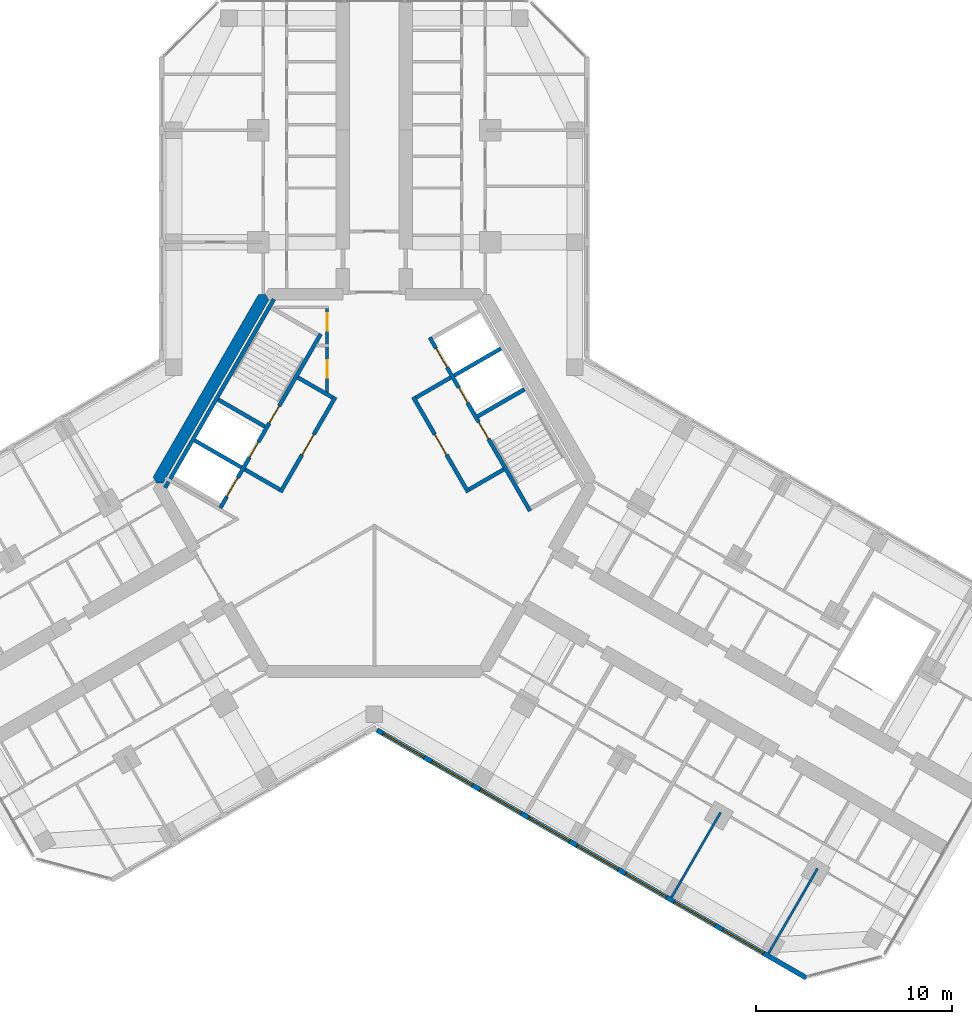
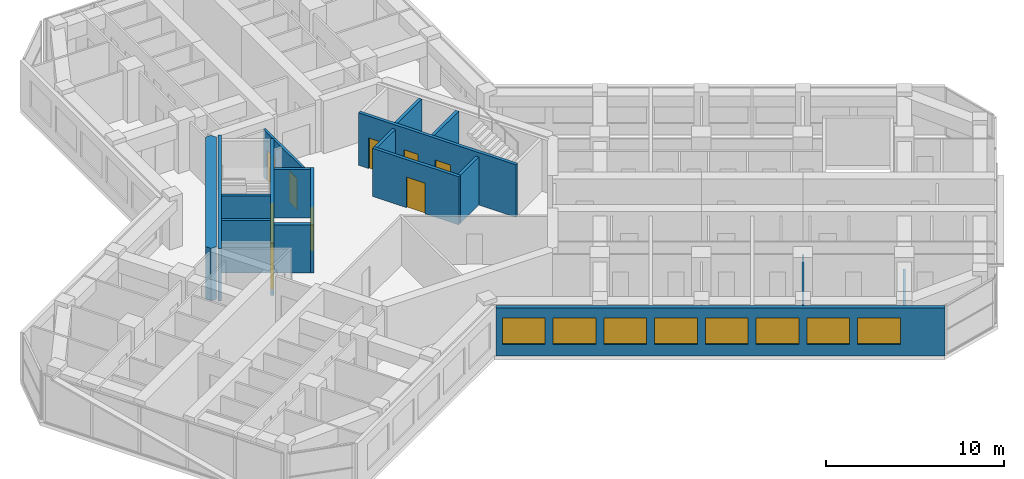
# One storey, part 10 of 16: 18 walls, 10 doors, 8 windows, 18 openings.
"""IFC4 building model written with IfcOpenShell, lengths in metres."""

from ifc_helpers import new_model, si_unit, direction, frame, frame_2d, origin, place, context, subcontext, project, spatial, polyline, rectangle, outline, extrude, material, layer, layer_set, type_object, element, fill, save


model = new_model("IFC4")

# Units and contexts
model_context = context("Model", 3, precision=1e-05, world=origin(), true_north=direction((0.0, 1.0)))
body_context = subcontext(model_context, "Body", "Model", "MODEL_VIEW")
ifc_project = project(units=[si_unit("LENGTHUNIT", "METRE"), si_unit("AREAUNIT", "SQUARE_METRE"), si_unit("VOLUMEUNIT", "CUBIC_METRE"), si_unit("PLANEANGLEUNIT", "RADIAN"), si_unit("MASSUNIT", "GRAM", prefix="KILO")], contexts=[model_context])

# Site, building, storey
site_placement = place(None, origin())
site = spatial("IfcSite", under=ifc_project, at=site_placement, CompositionType="ELEMENT")
building_placement = place(site_placement, origin())
building = spatial("IfcBuilding", under=site, at=building_placement, Name="Kosmar Iwan School Tower", CompositionType="ELEMENT")
storey_placement = place(building_placement, frame((0.0, 0.0, 256.800048828125)))
storey = spatial("IfcBuildingStorey", under=building, at=storey_placement, Name="L65", CompositionType="ELEMENT", Elevation=256.800048828125)

# Wall, openings, doors
ifc_material_1 = material(Name="Gypsum board on steel studs, fire-rated", Category="steel")
ifc_layer_1 = layer(ifc_material_1, 0.14990234375)
ifc_layer_set_1 = layer_set([ifc_layer_1], Name="Core room partition 150")
wall_type_1 = type_object("IfcWallType", Name="Core room partition 150", PredefinedType="PARTITIONING", material=ifc_layer_set_1)
wall_1_placement = place(storey_placement, frame((-2.39990234375, 9.014892578125, 0.0), z_axis=(0.0, 0.0, 1.0), x_axis=(0.0, -1.0, 0.0)))
wall_1 = element("IfcWall", 1, at=wall_1_placement, inside=storey, type_object=wall_type_1, Name="Core room partition L65-CW1", PredefinedType="PARTITIONING", context=body_context, shape_type="SweptSolid", body=[
    extrude(rectangle(XDim=4.484130859375, YDim=0.14990234375, at=frame_2d((2.2421875, 0.0))), origin(), (0.0, 0.0, 1.0), 3.300048828125),
])
opening_1_placement = place(wall_1_placement, frame((0.375, 0.0, 0.0)))
opening_1 = element("IfcOpeningElement", 2, at=opening_1_placement, cuts=wall_1, Name="Opening D14", PredefinedType="OPENING", context=body_context, shape_type="SweptSolid", body=[
    extrude(rectangle(XDim=0.89990234375, YDim=2.10009765625, at=frame_2d((0.449951171875, 1.050048828125))), frame((0.0, 0.0869140625, 0.0), z_axis=(0.0, -1.0, 0.0), x_axis=(1.0, 0.0, 0.0)), (0.0, 0.0, 1.0), 0.173828125),
])
opening_2_placement = place(wall_1_placement, frame((2.77490234375, 0.0, 0.0)))
opening_2 = element("IfcOpeningElement", 3, at=opening_2_placement, cuts=wall_1, Name="Opening D14", PredefinedType="OPENING", context=body_context, shape_type="SweptSolid", body=[
    extrude(rectangle(XDim=0.89990234375, YDim=2.10009765625, at=frame_2d((0.449951171875, 1.050048828125))), frame((0.0, 0.0869140625, 0.0), z_axis=(0.0, -1.0, 0.0), x_axis=(1.0, 0.0, 0.0)), (0.0, 0.0, 1.0), 0.173828125),
])
ifc_material_2 = material(Name="Timber fire door in steel frame", Category="steel")
door_type_1 = type_object("IfcDoorType", Name="Core room door 900x2100", OperationType="SINGLE_SWING_LEFT", PredefinedType="DOOR", material=ifc_material_2)
door_1_placement = place(opening_1_placement, origin())
door_1 = element("IfcDoor", 4, at=door_1_placement, inside=storey, type_object=door_type_1, Name="Electrical riser and switch room door L65 1", OperationType="SINGLE_SWING_LEFT", OverallHeight=2.10009765625, OverallWidth=0.89990234375, PredefinedType="DOOR", context=body_context, shape_type="SweptSolid", body=[
    extrude(rectangle(XDim=0.89990234375, YDim=2.10009765625, at=frame_2d((0.449951171875, 1.050048828125))), frame((0.0, 0.02490234375, 0.0), z_axis=(0.0, -1.0, 0.0), x_axis=(1.0, 0.0, 0.0)), (0.0, 0.0, 1.0), 0.050048828125),
])
fill(opening_1, door_1)
door_2_placement = place(opening_2_placement, origin())
door_2 = element("IfcDoor", 5, at=door_2_placement, inside=storey, type_object=door_type_1, Name="Plumbing and wet riser door L65 2", OperationType="SINGLE_SWING_RIGHT", OverallHeight=2.10009765625, OverallWidth=0.89990234375, PredefinedType="DOOR", context=body_context, shape_type="SweptSolid", body=[
    extrude(rectangle(XDim=0.89990234375, YDim=2.10009765625, at=frame_2d((0.449951171875, 1.050048828125))), frame((0.0, 0.02490234375, 0.0), z_axis=(0.0, -1.0, 0.0), x_axis=(1.0, 0.0, 0.0)), (0.0, 0.0, 1.0), 0.050048828125),
])
fill(opening_2, door_2)

# Walls
ifc_material_3 = material(Name="Concrete C50/60", Category="concrete")
ifc_layer_2 = layer(ifc_material_3, 0.60009765625)
ifc_layer_set_2 = layer_set([ifc_layer_2], Name="Core wall 600")
wall_type_2 = type_object("IfcWallType", Name="Core wall 600", PredefinedType="SHEAR", material=ifc_layer_set_2)
wall_2_placement = place(storey_placement, origin())
element("IfcWall", 6, at=wall_2_placement, inside=storey, type_object=wall_type_2, Name="Core wall F150", PredefinedType="SHEAR", context=body_context, shape_type="SweptSolid", body=[
    extrude(outline(polyline([(-11.085205078125, 0.0), (-10.73876953125, 0.0), (-5.369384765625, 9.300048828125), (-5.54248046875, 9.60009765625), (-5.888916015625, 9.60009765625), (-11.25830078125, 0.300048828125), (-11.085205078125, 0.0)])), origin(), (0.0, 0.0, 1.0), 3.599853515625),
])
ifc_material_4 = material(Name="Gypsum board on steel studs", Category="steel")
ifc_layer_3 = layer(ifc_material_4, 0.1201171875)
ifc_layer_set_3 = layer_set([ifc_layer_3], Name="Dwelling partition 120")
wall_type_3 = type_object("IfcWallType", Name="Dwelling partition 120", PredefinedType="PARTITIONING", material=ifc_layer_set_3)
wall_3_placement = place(storey_placement, frame((17.62646484375, -16.77001953125, 0.0), z_axis=(0.0, 0.0, 1.0), x_axis=(-0.499975153383, -0.86603974851, 0.0)))
element("IfcWall", 7, at=wall_3_placement, inside=storey, type_object=wall_type_3, Name="Partition L65-CR3-X1", PredefinedType="PARTITIONING", context=body_context, shape_type="SweptSolid", body=[
    extrude(rectangle(XDim=4.989990234375, YDim=0.1201171875, at=frame_2d((2.4951171875, 0.0))), origin(), (0.0, 0.0, 1.0), 3.300048828125),
])
wall_4_placement = place(storey_placement, frame((22.562744140625, -19.6201171875, 0.0), z_axis=(0.0, 0.0, 1.0), x_axis=(-0.499996339024, -0.86602751744, 0.0)))
element("IfcWall", 8, at=wall_4_placement, inside=storey, type_object=wall_type_3, Name="Partition L65-CR3-X2", PredefinedType="PARTITIONING", context=body_context, shape_type="SweptSolid", body=[
    extrude(rectangle(XDim=4.98974609375, YDim=0.1201171875, at=frame_2d((2.494873046875, 0.0))), origin(), (0.0, 0.0, 1.0), 2.300048828125),
])

# Wall, openings, windows
ifc_material_5 = material(Name="Black aluminium rainscreen on insulated framing", Category="aluminium")
ifc_layer_4 = layer(ifc_material_5, 0.25)
ifc_layer_set_4 = layer_set([ifc_layer_4], Name="External wall rainscreen 250")
wall_type_4 = type_object("IfcWallType", Name="External wall rainscreen 250", PredefinedType="SOLIDWALL", material=ifc_layer_set_4)
wall_5_placement = place(storey_placement, frame((0.137939453125, -12.5791015625, 0.0), z_axis=(0.0, 0.0, 1.0), x_axis=(0.866023775649, -0.500002820003, 0.0)))
wall_5 = element("IfcWall", 9, at=wall_5_placement, inside=storey, type_object=wall_type_4, Name="External wall CR L65", PredefinedType="SOLIDWALL", context=body_context, shape_type="SweptSolid", body=[
    extrude(rectangle(XDim=25.226318359375, YDim=0.25, at=frame_2d((12.61328125, 0.0))), origin(), (0.0, 0.0, 1.0), 3.300048828125),
])
opening_3_placement = place(wall_5_placement, frame((0.365966796875, 0.0, 0.800048828125)))
opening_3 = element("IfcOpeningElement", 10, at=opening_3_placement, cuts=wall_5, Name="Opening W5", PredefinedType="OPENING", context=body_context, shape_type="SweptSolid", body=[
    extrude(rectangle(XDim=2.39990234375, YDim=1.800048828125, at=frame_2d((1.199951171875, 0.89990234375))), frame((0.0, 0.136962890625, 0.0), z_axis=(0.0, -1.0, 0.0), x_axis=(1.0, 0.0, 0.0)), (0.0, 0.0, 1.0), 0.27392578125),
])
opening_4_placement = place(wall_5_placement, frame((3.216064453125, 0.0, 0.800048828125)))
opening_4 = element("IfcOpeningElement", 11, at=opening_4_placement, cuts=wall_5, Name="Opening W5", PredefinedType="OPENING", context=body_context, shape_type="SweptSolid", body=[
    extrude(rectangle(XDim=2.39990234375, YDim=1.800048828125, at=frame_2d((1.199951171875, 0.89990234375))), frame((0.0, 0.136962890625, 0.0), z_axis=(0.0, -1.0, 0.0), x_axis=(1.0, 0.0, 0.0)), (0.0, 0.0, 1.0), 0.27392578125),
])
opening_5_placement = place(wall_5_placement, frame((6.06591796875, 0.0, 0.800048828125)))
opening_5 = element("IfcOpeningElement", 12, at=opening_5_placement, cuts=wall_5, Name="Opening W5", PredefinedType="OPENING", context=body_context, shape_type="SweptSolid", body=[
    extrude(rectangle(XDim=2.39990234375, YDim=1.800048828125, at=frame_2d((1.199951171875, 0.89990234375))), frame((0.0, 0.136962890625, 0.0), z_axis=(0.0, -1.0, 0.0), x_axis=(1.0, 0.0, 0.0)), (0.0, 0.0, 1.0), 0.27392578125),
])
opening_6_placement = place(wall_5_placement, frame((8.916015625, 0.0, 0.800048828125)))
opening_6 = element("IfcOpeningElement", 13, at=opening_6_placement, cuts=wall_5, Name="Opening W5", PredefinedType="OPENING", context=body_context, shape_type="SweptSolid", body=[
    extrude(rectangle(XDim=2.39990234375, YDim=1.800048828125, at=frame_2d((1.199951171875, 0.89990234375))), frame((0.0, 0.136962890625, 0.0), z_axis=(0.0, -1.0, 0.0), x_axis=(1.0, 0.0, 0.0)), (0.0, 0.0, 1.0), 0.27392578125),
])
opening_7_placement = place(wall_5_placement, frame((11.76611328125, 0.0, 0.800048828125)))
opening_7 = element("IfcOpeningElement", 14, at=opening_7_placement, cuts=wall_5, Name="Opening W5", PredefinedType="OPENING", context=body_context, shape_type="SweptSolid", body=[
    extrude(rectangle(XDim=2.39990234375, YDim=1.800048828125, at=frame_2d((1.199951171875, 0.89990234375))), frame((0.0, 0.136962890625, 0.0), z_axis=(0.0, -1.0, 0.0), x_axis=(1.0, 0.0, 0.0)), (0.0, 0.0, 1.0), 0.27392578125),
])
opening_8_placement = place(wall_5_placement, frame((14.615966796875, 0.0, 0.800048828125)))
opening_8 = element("IfcOpeningElement", 15, at=opening_8_placement, cuts=wall_5, Name="Opening W5", PredefinedType="OPENING", context=body_context, shape_type="SweptSolid", body=[
    extrude(rectangle(XDim=2.39990234375, YDim=1.800048828125, at=frame_2d((1.199951171875, 0.89990234375))), frame((0.0, 0.136962890625, 0.0), z_axis=(0.0, -1.0, 0.0), x_axis=(1.0, 0.0, 0.0)), (0.0, 0.0, 1.0), 0.27392578125),
])
opening_9_placement = place(wall_5_placement, frame((17.466064453125, 0.0, 0.800048828125)))
opening_9 = element("IfcOpeningElement", 16, at=opening_9_placement, cuts=wall_5, Name="Opening W5", PredefinedType="OPENING", context=body_context, shape_type="SweptSolid", body=[
    extrude(rectangle(XDim=2.39990234375, YDim=1.800048828125, at=frame_2d((1.199951171875, 0.89990234375))), frame((0.0, 0.136962890625, 0.0), z_axis=(0.0, -1.0, 0.0), x_axis=(1.0, 0.0, 0.0)), (0.0, 0.0, 1.0), 0.27392578125),
])
opening_10_placement = place(wall_5_placement, frame((20.31591796875, 0.0, 0.800048828125)))
opening_10 = element("IfcOpeningElement", 17, at=opening_10_placement, cuts=wall_5, Name="Opening W5", PredefinedType="OPENING", context=body_context, shape_type="SweptSolid", body=[
    extrude(rectangle(XDim=2.39990234375, YDim=1.800048828125, at=frame_2d((1.199951171875, 0.89990234375))), frame((0.0, 0.136962890625, 0.0), z_axis=(0.0, -1.0, 0.0), x_axis=(1.0, 0.0, 0.0)), (0.0, 0.0, 1.0), 0.27392578125),
])
ifc_material_6 = material(Name="Black aluminium frame with dark triple glazing", Category="aluminium")
window_type = type_object("IfcWindowType", Name="Window 2400x1800", PartitioningType="SINGLE_PANEL", PredefinedType="WINDOW", material=ifc_material_6)
window_1_placement = place(opening_3_placement, origin())
window_1 = element("IfcWindow", 18, at=window_1_placement, inside=storey, type_object=window_type, Name="Window CR L65 -1", OverallHeight=1.800048828125, OverallWidth=2.39990234375, PartitioningType="SINGLE_PANEL", PredefinedType="WINDOW", context=body_context, shape_type="SweptSolid", body=[
    extrude(rectangle(XDim=2.39990234375, YDim=1.800048828125, at=frame_2d((1.199951171875, 0.89990234375))), frame((0.0, 0.030029296875, 0.0), z_axis=(0.0, -1.0, 0.0), x_axis=(1.0, 0.0, 0.0)), (0.0, 0.0, 1.0), 0.06005859375),
])
fill(opening_3, window_1)
window_2_placement = place(opening_4_placement, origin())
window_2 = element("IfcWindow", 19, at=window_2_placement, inside=storey, type_object=window_type, Name="Window CR L65 0", OverallHeight=1.800048828125, OverallWidth=2.39990234375, PartitioningType="SINGLE_PANEL", PredefinedType="WINDOW", context=body_context, shape_type="SweptSolid", body=[
    extrude(rectangle(XDim=2.39990234375, YDim=1.800048828125, at=frame_2d((1.199951171875, 0.89990234375))), frame((0.0, 0.030029296875, 0.0), z_axis=(0.0, -1.0, 0.0), x_axis=(1.0, 0.0, 0.0)), (0.0, 0.0, 1.0), 0.06005859375),
])
fill(opening_4, window_2)
window_3_placement = place(opening_5_placement, origin())
window_3 = element("IfcWindow", 20, at=window_3_placement, inside=storey, type_object=window_type, Name="Window CR L65 1", OverallHeight=1.800048828125, OverallWidth=2.39990234375, PartitioningType="SINGLE_PANEL", PredefinedType="WINDOW", context=body_context, shape_type="SweptSolid", body=[
    extrude(rectangle(XDim=2.39990234375, YDim=1.800048828125, at=frame_2d((1.199951171875, 0.89990234375))), frame((0.0, 0.030029296875, 0.0), z_axis=(0.0, -1.0, 0.0), x_axis=(1.0, 0.0, 0.0)), (0.0, 0.0, 1.0), 0.06005859375),
])
fill(opening_5, window_3)
window_4_placement = place(opening_6_placement, origin())
window_4 = element("IfcWindow", 21, at=window_4_placement, inside=storey, type_object=window_type, Name="Window CR L65 2", OverallHeight=1.800048828125, OverallWidth=2.39990234375, PartitioningType="SINGLE_PANEL", PredefinedType="WINDOW", context=body_context, shape_type="SweptSolid", body=[
    extrude(rectangle(XDim=2.39990234375, YDim=1.800048828125, at=frame_2d((1.199951171875, 0.89990234375))), frame((0.0, 0.030029296875, 0.0), z_axis=(0.0, -1.0, 0.0), x_axis=(1.0, 0.0, 0.0)), (0.0, 0.0, 1.0), 0.06005859375),
])
fill(opening_6, window_4)
window_5_placement = place(opening_7_placement, origin())
window_5 = element("IfcWindow", 22, at=window_5_placement, inside=storey, type_object=window_type, Name="Window CR L65 3", OverallHeight=1.800048828125, OverallWidth=2.39990234375, PartitioningType="SINGLE_PANEL", PredefinedType="WINDOW", context=body_context, shape_type="SweptSolid", body=[
    extrude(rectangle(XDim=2.39990234375, YDim=1.800048828125, at=frame_2d((1.199951171875, 0.89990234375))), frame((0.0, 0.030029296875, 0.0), z_axis=(0.0, -1.0, 0.0), x_axis=(1.0, 0.0, 0.0)), (0.0, 0.0, 1.0), 0.06005859375),
])
fill(opening_7, window_5)
window_6_placement = place(opening_8_placement, origin())
window_6 = element("IfcWindow", 23, at=window_6_placement, inside=storey, type_object=window_type, Name="Window CR L65 4", OverallHeight=1.800048828125, OverallWidth=2.39990234375, PartitioningType="SINGLE_PANEL", PredefinedType="WINDOW", context=body_context, shape_type="SweptSolid", body=[
    extrude(rectangle(XDim=2.39990234375, YDim=1.800048828125, at=frame_2d((1.199951171875, 0.89990234375))), frame((0.0, 0.030029296875, 0.0), z_axis=(0.0, -1.0, 0.0), x_axis=(1.0, 0.0, 0.0)), (0.0, 0.0, 1.0), 0.06005859375),
])
fill(opening_8, window_6)
window_7_placement = place(opening_9_placement, origin())
window_7 = element("IfcWindow", 24, at=window_7_placement, inside=storey, type_object=window_type, Name="Window CR L65 5", OverallHeight=1.800048828125, OverallWidth=2.39990234375, PartitioningType="SINGLE_PANEL", PredefinedType="WINDOW", context=body_context, shape_type="SweptSolid", body=[
    extrude(rectangle(XDim=2.39990234375, YDim=1.800048828125, at=frame_2d((1.199951171875, 0.89990234375))), frame((0.0, 0.030029296875, 0.0), z_axis=(0.0, -1.0, 0.0), x_axis=(1.0, 0.0, 0.0)), (0.0, 0.0, 1.0), 0.06005859375),
])
fill(opening_9, window_7)
window_8_placement = place(opening_10_placement, origin())
window_8 = element("IfcWindow", 25, at=window_8_placement, inside=storey, type_object=window_type, Name="Window CR L65 6", OverallHeight=1.800048828125, OverallWidth=2.39990234375, PartitioningType="SINGLE_PANEL", PredefinedType="WINDOW", context=body_context, shape_type="SweptSolid", body=[
    extrude(rectangle(XDim=2.39990234375, YDim=1.800048828125, at=frame_2d((1.199951171875, 0.89990234375))), frame((0.0, 0.030029296875, 0.0), z_axis=(0.0, -1.0, 0.0), x_axis=(1.0, 0.0, 0.0)), (0.0, 0.0, 1.0), 0.06005859375),
])
fill(opening_10, window_8)

# Wall, opening, door
ifc_material_7 = material(Name="Concrete block masonry", Category="masonry")
ifc_layer_5 = layer(ifc_material_7, 0.199951171875)
ifc_layer_set_5 = layer_set([ifc_layer_5], Name="Fire lobby wall 200")
wall_type_5 = type_object("IfcWallType", Name="Fire lobby wall 200", PredefinedType="PARTITIONING", material=ifc_layer_set_5)
wall_6_placement = place(storey_placement, frame((-1.9775390625, 4.374755859375, 0.0), z_axis=(0.0, 0.0, 1.0), x_axis=(-0.500016814911, -0.866015695474, 0.0)))
wall_6 = element("IfcWall", 26, at=wall_6_placement, inside=storey, type_object=wall_type_5, Name="Firefighting lobby wall ST2", PredefinedType="PARTITIONING", context=body_context, shape_type="SweptSolid", body=[
    extrude(rectangle(XDim=5.599853515625, YDim=0.199951171875, at=frame_2d((2.7998046875, 0.0))), origin(), (0.0, 0.0, 1.0), 3.300048828125),
])
opening_11_placement = place(wall_6_placement, frame((2.199951171875, 0.0, 0.0)))
opening_11 = element("IfcOpeningElement", 27, at=opening_11_placement, cuts=wall_6, Name="Opening D7", PredefinedType="OPENING", context=body_context, shape_type="SweptSolid", body=[
    extrude(rectangle(XDim=1.199951171875, YDim=2.10009765625, at=frame_2d((0.60009765625, 1.050048828125))), frame((0.0, 0.112060546875, 0.0), z_axis=(0.0, -1.0, 0.0), x_axis=(1.0, 0.0, 0.0)), (0.0, 0.0, 1.0), 0.223876953125),
])
ifc_material_8 = material(Name="Steel fire door", Category="steel")
door_type_2 = type_object("IfcDoorType", Name="Fire lobby door 1200x2100", OperationType="SINGLE_SWING_LEFT", PredefinedType="DOOR", material=ifc_material_8)
door_3_placement = place(opening_11_placement, origin())
door_3 = element("IfcDoor", 28, at=door_3_placement, inside=storey, type_object=door_type_2, Name="Firefighting lobby door ST2 L65", OperationType="SINGLE_SWING_RIGHT", OverallHeight=2.10009765625, OverallWidth=1.199951171875, PredefinedType="DOOR", context=body_context, shape_type="SweptSolid", body=[
    extrude(rectangle(XDim=1.199951171875, YDim=2.10009765625, at=frame_2d((0.60009765625, 1.050048828125))), frame((0.0, 0.02490234375, 0.0), z_axis=(0.0, -1.0, 0.0), x_axis=(1.0, 0.0, 0.0)), (0.0, 0.0, 1.0), 0.050048828125),
])
fill(opening_11, door_3)

# Walls
wall_7_placement = place(storey_placement, frame((-2.114013671875, 4.33837890625, 0.0), z_axis=(0.0, 0.0, 1.0), x_axis=(-0.866050731258, 0.499956128963, 0.0)))
element("IfcWall", 29, at=wall_7_placement, inside=storey, type_object=wall_type_5, Name="Firefighting lobby wall ST2", PredefinedType="PARTITIONING", context=body_context, shape_type="SweptSolid", body=[
    extrude(rectangle(XDim=2.050048828125, YDim=0.199951171875, at=frame_2d((1.02490234375, 0.0))), origin(), (0.0, 0.0, 1.0), 3.300048828125),
])
wall_8_placement = place(storey_placement, frame((-4.814208984375, -0.33837890625, 0.0), z_axis=(0.0, 0.0, 1.0), x_axis=(-0.865969381856, 0.500097020274, 0.0)))
element("IfcWall", 30, at=wall_8_placement, inside=storey, type_object=wall_type_5, Name="Firefighting lobby wall ST2", PredefinedType="PARTITIONING", context=body_context, shape_type="SweptSolid", body=[
    extrude(rectangle(XDim=2.0498046875, YDim=0.199951171875, at=frame_2d((1.02490234375, 0.0))), origin(), (0.0, 0.0, 1.0), 3.300048828125),
])

# Wall, opening, door
wall_9_placement = place(storey_placement, frame((4.777587890625, -0.474853515625, 0.0), z_axis=(0.0, 0.0, 1.0), x_axis=(-0.500016814911, 0.866015695474, 0.0)))
wall_9 = element("IfcWall", 31, at=wall_9_placement, inside=storey, type_object=wall_type_5, Name="Firefighting lobby wall ST1", PredefinedType="PARTITIONING", context=body_context, shape_type="SweptSolid", body=[
    extrude(rectangle(XDim=5.599853515625, YDim=0.199951171875, at=frame_2d((2.7998046875, 0.0))), origin(), (0.0, 0.0, 1.0), 3.300048828125),
])
opening_12_placement = place(wall_9_placement, frame((2.199951171875, 0.0, 0.0)))
opening_12 = element("IfcOpeningElement", 32, at=opening_12_placement, cuts=wall_9, Name="Opening D7", PredefinedType="OPENING", context=body_context, shape_type="SweptSolid", body=[
    extrude(rectangle(XDim=1.199951171875, YDim=2.10009765625, at=frame_2d((0.60009765625, 1.050048828125))), frame((0.0, 0.112060546875, 0.0), z_axis=(0.0, -1.0, 0.0), x_axis=(1.0, 0.0, 0.0)), (0.0, 0.0, 1.0), 0.223876953125),
])
door_4_placement = place(opening_12_placement, origin())
door_4 = element("IfcDoor", 33, at=door_4_placement, inside=storey, type_object=door_type_2, Name="Firefighting lobby door ST1 L65", OperationType="SINGLE_SWING_RIGHT", OverallHeight=2.10009765625, OverallWidth=1.199951171875, PredefinedType="DOOR", context=body_context, shape_type="SweptSolid", body=[
    extrude(rectangle(XDim=1.199951171875, YDim=2.10009765625, at=frame_2d((0.60009765625, 1.050048828125))), frame((0.0, 0.02490234375, 0.0), z_axis=(0.0, -1.0, 0.0), x_axis=(1.0, 0.0, 0.0)), (0.0, 0.0, 1.0), 0.050048828125),
])
fill(opening_12, door_4)

# Walls
wall_10_placement = place(storey_placement, frame((4.814208984375, -0.33837890625, 0.0), z_axis=(0.0, 0.0, 1.0), x_axis=(0.865969381856, 0.500097020274, 0.0)))
element("IfcWall", 34, at=wall_10_placement, inside=storey, type_object=wall_type_5, Name="Firefighting lobby wall ST1", PredefinedType="PARTITIONING", context=body_context, shape_type="SweptSolid", body=[
    extrude(rectangle(XDim=2.0498046875, YDim=0.199951171875, at=frame_2d((1.02490234375, 0.0))), origin(), (0.0, 0.0, 1.0), 3.300048828125),
])
wall_11_placement = place(storey_placement, frame((2.114013671875, 4.33837890625, 0.0), z_axis=(0.0, 0.0, 1.0), x_axis=(0.866050731258, 0.499956128963, 0.0)))
element("IfcWall", 35, at=wall_11_placement, inside=storey, type_object=wall_type_5, Name="Firefighting lobby wall ST1", PredefinedType="PARTITIONING", context=body_context, shape_type="SweptSolid", body=[
    extrude(rectangle(XDim=2.050048828125, YDim=0.199951171875, at=frame_2d((1.02490234375, 0.0))), origin(), (0.0, 0.0, 1.0), 3.300048828125),
])

# Wall, openings, doors
ifc_material_9 = material(Name="Concrete C50/60", Category="concrete")
ifc_layer_6 = layer(ifc_material_9, 0.199951171875)
ifc_layer_set_6 = layer_set([ifc_layer_6], Name="Lift shaft wall 200")
wall_type_6 = type_object("IfcWallType", Name="Lift shaft wall 200", PredefinedType="SHEAR", material=ifc_layer_set_6)
wall_12_placement = place(storey_placement, frame((-2.72607421875, 7.578369140625, 0.0), z_axis=(0.0, 0.0, 1.0), x_axis=(-0.499998717582, -0.866026144187, 0.0)))
wall_12 = element("IfcWall", 36, at=wall_12_placement, inside=storey, type_object=wall_type_6, Name="Lift and stair front wall AB", PredefinedType="SHEAR", context=body_context, shape_type="SweptSolid", body=[
    extrude(rectangle(XDim=10.22509765625, YDim=0.199951171875, at=frame_2d((5.112548828125, 0.0))), origin(), (0.0, 0.0, 1.0), 3.599853515625),
])
opening_13_placement = place(wall_12_placement, frame((6.35009765625, 0.0, 0.0)))
opening_13 = element("IfcOpeningElement", 37, at=opening_13_placement, cuts=wall_12, Name="Opening LD2", PredefinedType="OPENING", context=body_context, shape_type="SweptSolid", body=[
    extrude(rectangle(XDim=0.89990234375, YDim=2.10009765625, at=frame_2d((0.449951171875, 1.050048828125))), frame((0.0, 0.112060546875, 0.0), z_axis=(0.0, -1.0, 0.0), x_axis=(1.0, 0.0, 0.0)), (0.0, 0.0, 1.0), 0.223876953125),
])
opening_14_placement = place(wall_12_placement, frame((8.449951171875, 0.0, 0.0)))
opening_14 = element("IfcOpeningElement", 38, at=opening_14_placement, cuts=wall_12, Name="Opening LD1", PredefinedType="OPENING", context=body_context, shape_type="SweptSolid", body=[
    extrude(rectangle(XDim=1.10009765625, YDim=2.10009765625, at=frame_2d((0.550048828125, 1.050048828125))), frame((0.0, 0.112060546875, 0.0), z_axis=(0.0, -1.0, 0.0), x_axis=(1.0, 0.0, 0.0)), (0.0, 0.0, 1.0), 0.223876953125),
])
opening_15_placement = place(wall_12_placement, frame((4.22998046875, 0.0, 0.0)))
opening_15 = element("IfcOpeningElement", 39, at=opening_15_placement, cuts=wall_12, Name="Opening D6", PredefinedType="OPENING", context=body_context, shape_type="SweptSolid", body=[
    extrude(rectangle(XDim=1.0, YDim=2.10009765625, at=frame_2d((0.5, 1.050048828125))), frame((0.0, 0.112060546875, 0.0), z_axis=(0.0, -1.0, 0.0), x_axis=(1.0, 0.0, 0.0)), (0.0, 0.0, 1.0), 0.223876953125),
])
ifc_material_10 = material(Name="Stainless steel sliding lift door", Category="steel")
door_type_3 = type_object("IfcDoorType", Name="Firefighting lift landing door 900x2100", OperationType="SLIDING_TO_LEFT", PredefinedType="DOOR", material=ifc_material_10)
door_5_placement = place(opening_13_placement, origin())
door_5 = element("IfcDoor", 40, at=door_5_placement, inside=storey, type_object=door_type_3, Name="Lift FF2 landing door L65", OperationType="SLIDING_TO_LEFT", OverallHeight=2.10009765625, OverallWidth=0.89990234375, PredefinedType="DOOR", context=body_context, shape_type="SweptSolid", body=[
    extrude(rectangle(XDim=0.89990234375, YDim=2.10009765625, at=frame_2d((0.449951171875, 1.050048828125))), frame((0.0, 0.02490234375, 0.0), z_axis=(0.0, -1.0, 0.0), x_axis=(1.0, 0.0, 0.0)), (0.0, 0.0, 1.0), 0.050048828125),
])
fill(opening_13, door_5)
ifc_material_11 = material(Name="Stainless steel sliding lift door", Category="steel")
door_type_4 = type_object("IfcDoorType", Name="Lift landing door 1100x2100", OperationType="SLIDING_TO_LEFT", PredefinedType="DOOR", material=ifc_material_11)
door_6_placement = place(opening_14_placement, origin())
door_6 = element("IfcDoor", 41, at=door_6_placement, inside=storey, type_object=door_type_4, Name="Lift PL6 landing door L65", OperationType="SLIDING_TO_LEFT", OverallHeight=2.10009765625, OverallWidth=1.10009765625, PredefinedType="DOOR", context=body_context, shape_type="SweptSolid", body=[
    extrude(rectangle(XDim=1.10009765625, YDim=2.10009765625, at=frame_2d((0.550048828125, 1.050048828125))), frame((0.0, 0.02490234375, 0.0), z_axis=(0.0, -1.0, 0.0), x_axis=(1.0, 0.0, 0.0)), (0.0, 0.0, 1.0), 0.050048828125),
])
fill(opening_14, door_6)
ifc_material_12 = material(Name="Steel fire door", Category="steel")
door_type_5 = type_object("IfcDoorType", Name="Stair door 1000x2100", OperationType="SINGLE_SWING_LEFT", PredefinedType="DOOR", material=ifc_material_12)
door_7_placement = place(opening_15_placement, origin())
door_7 = element("IfcDoor", 42, at=door_7_placement, inside=storey, type_object=door_type_5, Name="Stair ST2 door L65", OperationType="SINGLE_SWING_LEFT", OverallHeight=2.10009765625, OverallWidth=1.0, PredefinedType="DOOR", context=body_context, shape_type="SweptSolid", body=[
    extrude(rectangle(XDim=1.0, YDim=2.10009765625, at=frame_2d((0.5, 1.050048828125))), frame((0.0, 0.02490234375, 0.0), z_axis=(0.0, -1.0, 0.0), x_axis=(1.0, 0.0, 0.0)), (0.0, 0.0, 1.0), 0.050048828125),
])
fill(opening_15, door_7)

# Walls
wall_13_placement = place(storey_placement, frame((-5.109619140625, 9.35009765625, 0.0), z_axis=(0.0, 0.0, 1.0), x_axis=(-0.499990629522, -0.866030813765, 0.0)))
element("IfcWall", 43, at=wall_13_placement, inside=storey, type_object=wall_type_6, Name="Lift and stair back wall AB", PredefinedType="SHEAR", context=body_context, shape_type="SweptSolid", body=[
    extrude(rectangle(XDim=11.085205078125, YDim=0.199951171875, at=frame_2d((5.54248046875, 0.0))), origin(), (0.0, 0.0, 1.0), 3.599853515625),
])
wall_14_placement = place(storey_placement, frame((-6.7626953125, 0.78662109375, 0.0), z_axis=(0.0, 0.0, 1.0), x_axis=(-0.866027397988, 0.499996545922, 0.0)))
element("IfcWall", 44, at=wall_14_placement, inside=storey, type_object=wall_type_6, Name="Lift shaft wall AB 1", PredefinedType="SHEAR", context=body_context, shape_type="SweptSolid", body=[
    extrude(rectangle(XDim=2.75, YDim=0.199951171875, at=frame_2d((1.375, 0.0))), origin(), (0.0, 0.0, 1.0), 3.599853515625),
])

# Wall, openings, doors
wall_15_placement = place(storey_placement, frame((7.926025390625, -1.42822265625, 0.0), z_axis=(0.0, 0.0, 1.0), x_axis=(-0.499998023675, 0.866026544813, 0.0)))
wall_15 = element("IfcWall", 45, at=wall_15_placement, inside=storey, type_object=wall_type_6, Name="Lift and stair front wall AC", PredefinedType="SHEAR", context=body_context, shape_type="SweptSolid", body=[
    extrude(rectangle(XDim=10.19970703125, YDim=0.199951171875, at=frame_2d((5.099853515625, 0.0))), origin(), (0.0, 0.0, 1.0), 3.599853515625),
])
opening_16_placement = place(wall_15_placement, frame((6.35009765625, 0.0, 0.0)))
opening_16 = element("IfcOpeningElement", 46, at=opening_16_placement, cuts=wall_15, Name="Opening LD2", PredefinedType="OPENING", context=body_context, shape_type="SweptSolid", body=[
    extrude(rectangle(XDim=0.89990234375, YDim=2.10009765625, at=frame_2d((0.449951171875, 1.050048828125))), frame((0.0, 0.112060546875, 0.0), z_axis=(0.0, -1.0, 0.0), x_axis=(1.0, 0.0, 0.0)), (0.0, 0.0, 1.0), 0.223876953125),
])
opening_17_placement = place(wall_15_placement, frame((8.449951171875, 0.0, 0.0)))
opening_17 = element("IfcOpeningElement", 47, at=opening_17_placement, cuts=wall_15, Name="Opening LD1", PredefinedType="OPENING", context=body_context, shape_type="SweptSolid", body=[
    extrude(rectangle(XDim=1.10009765625, YDim=2.10009765625, at=frame_2d((0.550048828125, 1.050048828125))), frame((0.0, 0.112060546875, 0.0), z_axis=(0.0, -1.0, 0.0), x_axis=(1.0, 0.0, 0.0)), (0.0, 0.0, 1.0), 0.223876953125),
])
opening_18_placement = place(wall_15_placement, frame((4.22998046875, 0.0, 0.0)))
opening_18 = element("IfcOpeningElement", 48, at=opening_18_placement, cuts=wall_15, Name="Opening D6", PredefinedType="OPENING", context=body_context, shape_type="SweptSolid", body=[
    extrude(rectangle(XDim=1.0, YDim=2.10009765625, at=frame_2d((0.5, 1.050048828125))), frame((0.0, 0.112060546875, 0.0), z_axis=(0.0, -1.0, 0.0), x_axis=(1.0, 0.0, 0.0)), (0.0, 0.0, 1.0), 0.223876953125),
])
door_8_placement = place(opening_16_placement, origin())
door_8 = element("IfcDoor", 49, at=door_8_placement, inside=storey, type_object=door_type_3, Name="Lift FF1 landing door L65", OperationType="SLIDING_TO_LEFT", OverallHeight=2.10009765625, OverallWidth=0.89990234375, PredefinedType="DOOR", context=body_context, shape_type="SweptSolid", body=[
    extrude(rectangle(XDim=0.89990234375, YDim=2.10009765625, at=frame_2d((0.449951171875, 1.050048828125))), frame((0.0, 0.02490234375, 0.0), z_axis=(0.0, -1.0, 0.0), x_axis=(1.0, 0.0, 0.0)), (0.0, 0.0, 1.0), 0.050048828125),
])
fill(opening_16, door_8)
door_9_placement = place(opening_17_placement, origin())
door_9 = element("IfcDoor", 50, at=door_9_placement, inside=storey, type_object=door_type_4, Name="Lift PL5 landing door L65", OperationType="SLIDING_TO_LEFT", OverallHeight=2.10009765625, OverallWidth=1.10009765625, PredefinedType="DOOR", context=body_context, shape_type="SweptSolid", body=[
    extrude(rectangle(XDim=1.10009765625, YDim=2.10009765625, at=frame_2d((0.550048828125, 1.050048828125))), frame((0.0, 0.02490234375, 0.0), z_axis=(0.0, -1.0, 0.0), x_axis=(1.0, 0.0, 0.0)), (0.0, 0.0, 1.0), 0.050048828125),
])
fill(opening_17, door_9)
door_10_placement = place(opening_18_placement, origin())
door_10 = element("IfcDoor", 51, at=door_10_placement, inside=storey, type_object=door_type_5, Name="Stair ST1 door L65", OperationType="SINGLE_SWING_LEFT", OverallHeight=2.10009765625, OverallWidth=1.0, PredefinedType="DOOR", context=body_context, shape_type="SweptSolid", body=[
    extrude(rectangle(XDim=1.0, YDim=2.10009765625, at=frame_2d((0.5, 1.050048828125))), frame((0.0, 0.02490234375, 0.0), z_axis=(0.0, -1.0, 0.0), x_axis=(1.0, 0.0, 0.0)), (0.0, 0.0, 1.0), 0.050048828125),
])
fill(opening_18, door_10)

# Walls
wall_16_placement = place(storey_placement, frame((4.062744140625, 5.46337890625, 0.0), z_axis=(0.0, 0.0, 1.0), x_axis=(0.866027397988, 0.499996545922, 0.0)))
element("IfcWall", 52, at=wall_16_placement, inside=storey, type_object=wall_type_6, Name="Lift shaft wall AC 1", PredefinedType="SHEAR", context=body_context, shape_type="SweptSolid", body=[
    extrude(rectangle(XDim=2.75, YDim=0.199951171875, at=frame_2d((1.375, 0.0))), origin(), (0.0, 0.0, 1.0), 3.599853515625),
])
ifc_material_13 = material(Name="Concrete C50/60", Category="concrete")
ifc_layer_7 = layer(ifc_material_13, 0.199951171875)
ifc_layer_set_7 = layer_set([ifc_layer_7], Name="Stair enclosure wall 200")
wall_type_7 = type_object("IfcWallType", Name="Stair enclosure wall 200", PredefinedType="SHEAR", material=ifc_layer_set_7)
for number, where, z_axis, x_axis, name in (
    (53, (-5.562744140625, 2.865234375, 0.0), (0.0, 0.0, 1.0), (-0.866027397988, 0.499996545922, 0.0), "Stair ST2 wall"),
    (54, (5.2626953125, 3.384765625, 0.0), (0.0, 0.0, 1.0), (0.866027397988, 0.499996545922, 0.0), "Stair ST1 wall"),
):
    element("IfcWall", number, at=place(storey_placement, frame(where, z_axis=z_axis, x_axis=x_axis)), inside=storey, type_object=wall_type_7, Name=name, PredefinedType="SHEAR", context=body_context, shape_type="SweptSolid", body=[
        extrude(rectangle(XDim=2.75, YDim=0.199951171875, at=frame_2d((1.375, 0.0))), origin(), (0.0, 0.0, 1.0), 3.599853515625),
    ])

save(model, "model.ifc")
